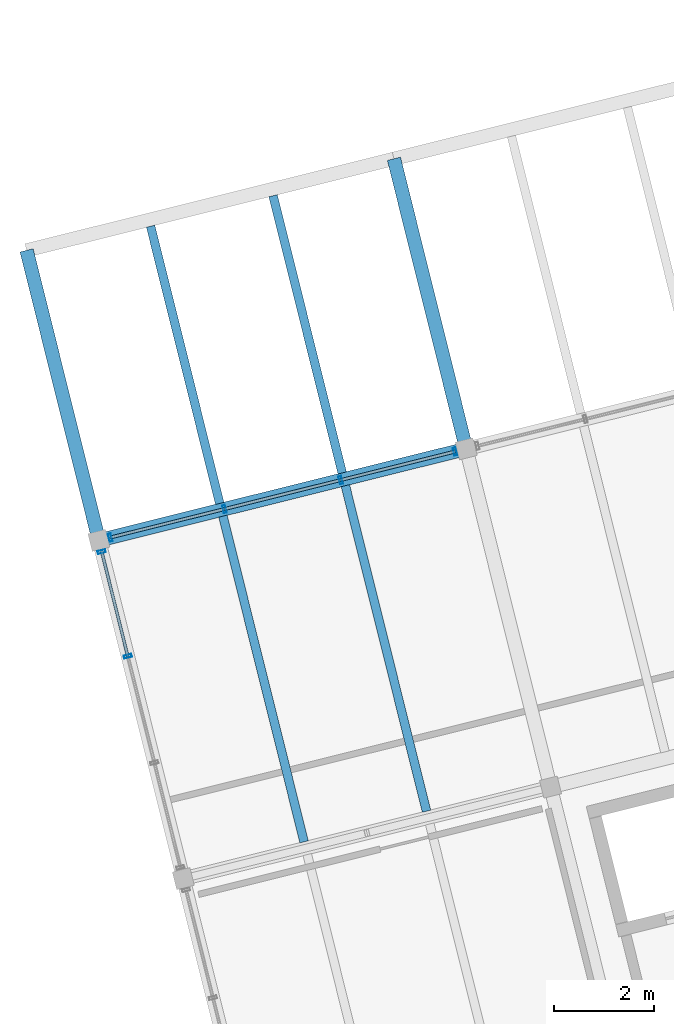
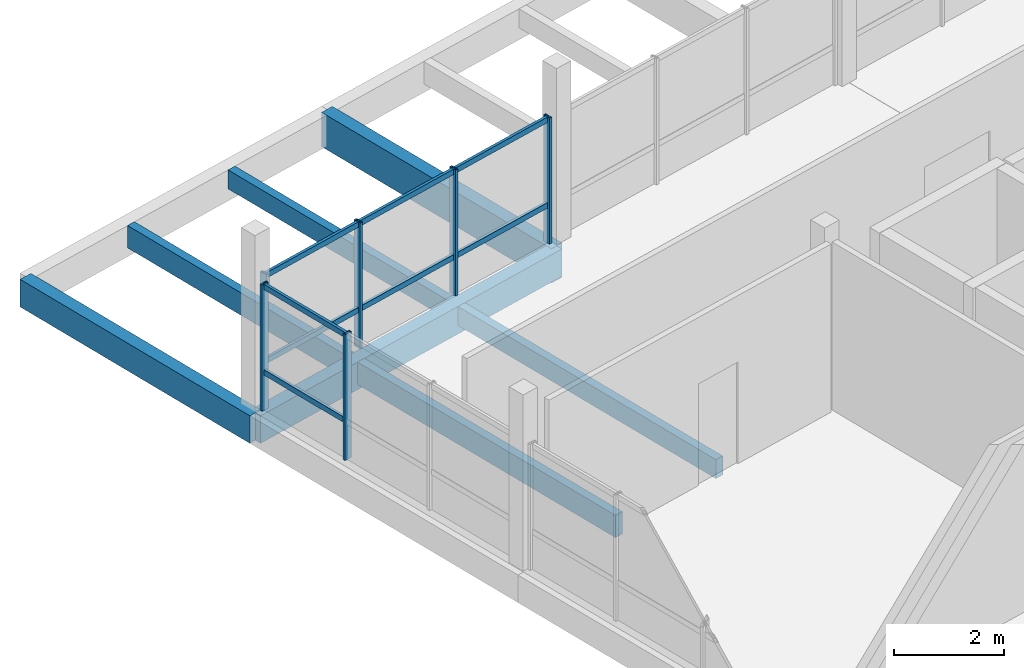
# One storey, part 10 of 28: 14 members, 7 beams, 2 elements without a shape of their own.
"""IFC4 building model written with IfcOpenShell, lengths in metres."""

from ifc_helpers import new_model, si_unit, direction, frame, origin, origin_2d, place, context, subcontext, project, spatial, rectangle, hollow_rectangle, extrude, material, layer, layer_set, material_profile, profile_set, type_object, element, aggregate, save


model = new_model("IFC4")

# Units and contexts
model_context = context("Model", 3, precision=1e-05, world=origin(), true_north=direction((0.0, 1.0)))
body_context = subcontext(model_context, "Body", "Model", "MODEL_VIEW")
ifc_project = project(units=[si_unit("LENGTHUNIT", "METRE"), si_unit("AREAUNIT", "SQUARE_METRE"), si_unit("VOLUMEUNIT", "CUBIC_METRE"), si_unit("PLANEANGLEUNIT", "RADIAN"), si_unit("MASSUNIT", "GRAM", prefix="KILO")], contexts=[model_context])

# Site, building, storey
site_placement = place(None, origin())
site = spatial("IfcSite", under=ifc_project, at=site_placement, CompositionType="ELEMENT")
building_placement = place(site_placement, origin())
building = spatial("IfcBuilding", under=site, at=building_placement, Name="Meriwether Solvik Hall", CompositionType="ELEMENT")
storey_placement = place(building_placement, frame((0.0, 0.0, 45.60009765625)))
storey = spatial("IfcBuildingStorey", under=building, at=storey_placement, Name="L11", CompositionType="ELEMENT", Elevation=45.60009765625)

# Beams
ifc_material_1 = material(Name="Glulam Douglas-Fir 24F-V8 GL28h", Category="wood")
ifc_material_profile_1 = material_profile(ifc_material_1, rectangle(XDim=0.27294921875, YDim=0.610107421875, at=origin_2d()), Name="GLB-273X610")
ifc_profile_set_1 = profile_set([ifc_material_profile_1], Name="Glulam Douglas-Fir 24F-V8 GL28h")
beam_type_1 = type_object("IfcBeamType", Name="BM-GL-273X610", PredefinedType="SPANDREL", material=ifc_profile_set_1)
beam_1_placement = place(storey_placement, frame((61.826171875, 68.3681640625, -0.505126953125), z_axis=(0.970295366785, 0.241923337436, 0.0), x_axis=(-0.241923337436, 0.970295366785, 0.0)))
element("IfcBeam", 1, at=beam_1_placement, inside=storey, type_object=beam_type_1, Name="Tower Girder TE:T1-T2 (L11)", PredefinedType="SPANDREL", context=body_context, shape_type="SweptSolid", body=[
    extrude(rectangle(XDim=0.27294921875, YDim=0.610107421875, at=origin_2d()), origin(), (0.0, 0.0, 1.0), 7.60009765625),
])
beam_2_placement = place(storey_placement, frame((61.826171875, 68.3681640625, -0.505126953125), z_axis=(-0.241903677572, 0.970300268359, 0.0), x_axis=(-0.970300268359, -0.241903677572, 0.0)))
element("IfcBeam", 2, at=beam_2_placement, inside=storey, type_object=beam_type_1, Name="Tower Girder T1:TE-TF (L11)", PredefinedType="SPANDREL", context=body_context, shape_type="SweptSolid", body=[
    extrude(rectangle(XDim=0.27294921875, YDim=0.610107421875, at=origin_2d()), origin(), (0.0, 0.0, 1.0), 6.0),
])
ifc_material_2 = material(Name="Glulam Douglas-Fir 24F-V8 GL28h", Category="wood")
ifc_material_profile_2 = material_profile(ifc_material_2, rectangle(XDim=0.27294921875, YDim=0.760009765625, at=origin_2d()), Name="GLB-273X760")
ifc_profile_set_2 = profile_set([ifc_material_profile_2], Name="Glulam Douglas-Fir 24F-V8 GL28h")
beam_type_2 = type_object("IfcBeamType", Name="BM-GL-273X760", PredefinedType="BEAM", material=ifc_profile_set_2)
beam_3_placement = place(storey_placement, frame((69.200439453125, 70.206787109375, -0.580078125), z_axis=(-0.241903677572, 0.970300268359, 0.0), x_axis=(-0.970300268359, -0.241903677572, 0.0)))
element("IfcBeam", 3, at=beam_3_placement, inside=storey, type_object=beam_type_2, Name="Tower Girder T2:TE-TF (L11)", PredefinedType="BEAM", context=body_context, shape_type="SweptSolid", body=[
    extrude(rectangle(XDim=0.27294921875, YDim=0.760009765625, at=origin_2d()), origin(), (0.0, 0.0, 1.0), 6.0),
])

# Curtain wall, members
ifc_material_3 = material(Name="Thermally Broken Anodised Aluminium 6063-T6 and Low-E Glass", Category="aluminium")
ifc_layer_1 = layer(ifc_material_3, 0.179931640625)
ifc_layer_set_1 = layer_set([ifc_layer_1], Name="Thermally Broken Anodised Aluminium 6063-T6 and Low-E Glass")
curtain_wall_type_1 = type_object("IfcCurtainWallType", Name="CW-UNIT-D", PredefinedType="USERDEFINED", material=ifc_layer_set_1)
curtain_wall_1_placement = place(storey_placement, origin())
curtain_wall_1 = element("IfcCurtainWall", 4, at=curtain_wall_1_placement, inside=storey, type_object=curtain_wall_type_1, Name="Curtain Wall E2_B0 (L11)", ObjectType="UNITISED CURTAIN WALL", PredefinedType="USERDEFINED")
ifc_material_4 = material(Name="Anodised Aluminium 6063-T6", Category="aluminium")
ifc_material_profile_3 = material_profile(ifc_material_4, hollow_rectangle(XDim=0.06005859375, YDim=0.159912109375, WallThickness=0.00390625, at=origin_2d()), Name="CWM-60X160")
ifc_profile_set_3 = profile_set([ifc_material_profile_3], Name="Anodised Aluminium 6063-T6")
member_type_1 = type_object("IfcMemberType", Name="CW-MUL-60X160", PredefinedType="MULLION", material=ifc_profile_set_3)
member_1_placement = place(storey_placement, frame((62.0517578125, 68.424560546875, 0.0), z_axis=(0.0, 0.0, 1.0), x_axis=(0.970295723616, 0.241921906269, 0.0)))
member_1 = element("IfcMember", 5, at=member_1_placement, type_object=member_type_1, Name="Curtain Wall Mullion 1", PredefinedType="MULLION", context=body_context, shape_type="SweptSolid", body=[
    extrude(hollow_rectangle(XDim=0.06005859375, YDim=0.159912109375, WallThickness=0.00390625, at=origin_2d()), origin(), (0.0, 0.0, 1.0), 2.789794921875),
])
member_2_placement = place(storey_placement, frame((64.34716796875, 68.996826171875, 0.0), z_axis=(0.0, 0.0, 1.0), x_axis=(0.970295723616, 0.241921906269, 0.0)))
member_2 = element("IfcMember", 6, at=member_2_placement, type_object=member_type_1, Name="Curtain Wall Mullion 2", PredefinedType="MULLION", context=body_context, shape_type="SweptSolid", body=[
    extrude(hollow_rectangle(XDim=0.06005859375, YDim=0.159912109375, WallThickness=0.00390625, at=origin_2d()), origin(), (0.0, 0.0, 1.0), 2.789794921875),
])
member_3_placement = place(storey_placement, frame((66.679443359375, 69.578369140625, 0.0), z_axis=(0.0, 0.0, 1.0), x_axis=(0.970295723616, 0.241921906269, 0.0)))
member_3 = element("IfcMember", 7, at=member_3_placement, type_object=member_type_1, Name="Curtain Wall Mullion 3", PredefinedType="MULLION", context=body_context, shape_type="SweptSolid", body=[
    extrude(hollow_rectangle(XDim=0.06005859375, YDim=0.159912109375, WallThickness=0.00390625, at=origin_2d()), origin(), (0.0, 0.0, 1.0), 2.789794921875),
])
member_4_placement = place(storey_placement, frame((68.974853515625, 70.150634765625, 0.0), z_axis=(0.0, 0.0, 1.0), x_axis=(0.970295723616, 0.241921906269, 0.0)))
member_4 = element("IfcMember", 8, at=member_4_placement, type_object=member_type_1, Name="Curtain Wall Mullion 4", PredefinedType="MULLION", context=body_context, shape_type="SweptSolid", body=[
    extrude(hollow_rectangle(XDim=0.06005859375, YDim=0.159912109375, WallThickness=0.00390625, at=origin_2d()), origin(), (0.0, 0.0, 1.0), 2.789794921875),
])

ifc_material_5 = material(Name="Thermally Broken Anodised Aluminium 6063-T6 and Low-E Glass", Category="aluminium")
ifc_layer_2 = layer(ifc_material_5, 0.179931640625)
ifc_layer_set_2 = layer_set([ifc_layer_2], Name="Thermally Broken Anodised Aluminium 6063-T6 and Low-E Glass")
curtain_wall_type_2 = type_object("IfcCurtainWallType", Name="CW-UNIT-A", PredefinedType="USERDEFINED", material=ifc_layer_set_2)
curtain_wall_2_placement = place(storey_placement, origin())
curtain_wall_2 = element("IfcCurtainWall", 9, at=curtain_wall_2_placement, inside=storey, type_object=curtain_wall_type_2, Name="Curtain Wall E3_B3 (L11)", ObjectType="UNITISED CURTAIN WALL", PredefinedType="USERDEFINED")
member_5_placement = place(storey_placement, frame((62.40625, 66.041259765625, 0.0), z_axis=(0.0, 0.0, 1.0), x_axis=(-0.241921804422, 0.970295749009, 0.0)))
member_5 = element("IfcMember", 10, at=member_5_placement, type_object=member_type_1, Name="Curtain Wall Mullion 3", PredefinedType="MULLION", context=body_context, shape_type="SweptSolid", body=[
    extrude(hollow_rectangle(XDim=0.06005859375, YDim=0.159912109375, WallThickness=0.00390625, at=origin_2d()), origin(), (0.0, 0.0, 1.0), 2.789794921875),
])
member_6_placement = place(storey_placement, frame((61.88232421875, 68.142578125, 0.0), z_axis=(0.0, 0.0, 1.0), x_axis=(-0.241921804422, 0.970295749009, 0.0)))
member_6 = element("IfcMember", 11, at=member_6_placement, type_object=member_type_1, Name="Curtain Wall Mullion 4", PredefinedType="MULLION", context=body_context, shape_type="SweptSolid", body=[
    extrude(hollow_rectangle(XDim=0.06005859375, YDim=0.159912109375, WallThickness=0.00390625, at=origin_2d()), origin(), (0.0, 0.0, 1.0), 2.789794921875),
])

# Member
ifc_material_6 = material(Name="Anodised Aluminium 6063-T6", Category="aluminium")
ifc_material_profile_4 = material_profile(ifc_material_6, hollow_rectangle(XDim=0.06005859375, YDim=0.1201171875, WallThickness=0.00390625, at=origin_2d()), Name="CWT-60X120")
ifc_profile_set_4 = profile_set([ifc_material_profile_4], Name="Anodised Aluminium 6063-T6")
member_type_2 = type_object("IfcMemberType", Name="CW-TRN-60X120", PredefinedType="USERDEFINED", material=ifc_profile_set_4)
member_7_placement = place(storey_placement, frame((62.0517578125, 68.424560546875, 0.8369140625), z_axis=(0.970300132238, 0.241904223566, 0.0), x_axis=(-0.241904223566, 0.970300132238, 0.0)))
member_7 = element("IfcMember", 12, at=member_7_placement, type_object=member_type_2, Name="Curtain Wall Transom 1-sill", ObjectType="TRANSOM", PredefinedType="USERDEFINED", context=body_context, shape_type="SweptSolid", body=[
    extrude(hollow_rectangle(XDim=0.06005859375, YDim=0.1201171875, WallThickness=0.00390625, at=origin_2d()), origin(), (0.0, 0.0, 1.0), 2.36572265625),
])

member_8_placement = place(storey_placement, frame((62.0517578125, 68.424560546875, 2.72998046875), z_axis=(0.970300132238, 0.241904223566, 0.0), x_axis=(-0.241904223566, 0.970300132238, 0.0)))
member_8 = element("IfcMember", 13, at=member_8_placement, type_object=member_type_2, Name="Curtain Wall Transom 1-head", ObjectType="TRANSOM", PredefinedType="USERDEFINED", context=body_context, shape_type="SweptSolid", body=[
    extrude(hollow_rectangle(XDim=0.06005859375, YDim=0.1201171875, WallThickness=0.00390625, at=origin_2d()), origin(), (0.0, 0.0, 1.0), 2.36572265625),
])

member_9_placement = place(storey_placement, frame((64.34716796875, 68.996826171875, 0.8369140625), z_axis=(0.970291682811, 0.241938112473, 0.0), x_axis=(-0.241938112473, 0.970291682811, 0.0)))
member_9 = element("IfcMember", 14, at=member_9_placement, type_object=member_type_2, Name="Curtain Wall Transom 2-sill", ObjectType="TRANSOM", PredefinedType="USERDEFINED", context=body_context, shape_type="SweptSolid", body=[
    extrude(hollow_rectangle(XDim=0.06005859375, YDim=0.1201171875, WallThickness=0.00390625, at=origin_2d()), origin(), (0.0, 0.0, 1.0), 2.403564453125),
])

member_10_placement = place(storey_placement, frame((64.34716796875, 68.996826171875, 2.72998046875), z_axis=(0.970291682811, 0.241938112473, 0.0), x_axis=(-0.241938112473, 0.970291682811, 0.0)))
member_10 = element("IfcMember", 15, at=member_10_placement, type_object=member_type_2, Name="Curtain Wall Transom 2-head", ObjectType="TRANSOM", PredefinedType="USERDEFINED", context=body_context, shape_type="SweptSolid", body=[
    extrude(hollow_rectangle(XDim=0.06005859375, YDim=0.1201171875, WallThickness=0.00390625, at=origin_2d()), origin(), (0.0, 0.0, 1.0), 2.403564453125),
])

member_11_placement = place(storey_placement, frame((66.679443359375, 69.578369140625, 0.8369140625), z_axis=(0.970300132238, 0.241904223566, 0.0), x_axis=(-0.241904223566, 0.970300132238, 0.0)))
member_11 = element("IfcMember", 16, at=member_11_placement, type_object=member_type_2, Name="Curtain Wall Transom 3-sill", ObjectType="TRANSOM", PredefinedType="USERDEFINED", context=body_context, shape_type="SweptSolid", body=[
    extrude(hollow_rectangle(XDim=0.06005859375, YDim=0.1201171875, WallThickness=0.00390625, at=origin_2d()), origin(), (0.0, 0.0, 1.0), 2.36572265625),
])

member_12_placement = place(storey_placement, frame((66.679443359375, 69.578369140625, 2.72998046875), z_axis=(0.970300132238, 0.241904223566, 0.0), x_axis=(-0.241904223566, 0.970300132238, 0.0)))
member_12 = element("IfcMember", 17, at=member_12_placement, type_object=member_type_2, Name="Curtain Wall Transom 3-head", ObjectType="TRANSOM", PredefinedType="USERDEFINED", context=body_context, shape_type="SweptSolid", body=[
    extrude(hollow_rectangle(XDim=0.06005859375, YDim=0.1201171875, WallThickness=0.00390625, at=origin_2d()), origin(), (0.0, 0.0, 1.0), 2.36572265625),
])

aggregate(curtain_wall_1, [member_1, member_2, member_3, member_4, member_7, member_8, member_9, member_10, member_11, member_12])

member_13_placement = place(storey_placement, frame((62.40625, 66.041259765625, 0.8369140625), z_axis=(-0.241925491414, 0.970294829732, 0.0), x_axis=(-0.970294829732, -0.241925491414, 0.0)))
member_13 = element("IfcMember", 18, at=member_13_placement, type_object=member_type_2, Name="Curtain Wall Transom 3-sill", ObjectType="TRANSOM", PredefinedType="USERDEFINED", context=body_context, shape_type="SweptSolid", body=[
    extrude(hollow_rectangle(XDim=0.06005859375, YDim=0.1201171875, WallThickness=0.00390625, at=origin_2d()), origin(), (0.0, 0.0, 1.0), 2.16552734375),
])

member_14_placement = place(storey_placement, frame((62.40625, 66.041259765625, 2.72998046875), z_axis=(-0.241925491414, 0.970294829732, 0.0), x_axis=(-0.970294829732, -0.241925491414, 0.0)))
member_14 = element("IfcMember", 19, at=member_14_placement, type_object=member_type_2, Name="Curtain Wall Transom 3-head", ObjectType="TRANSOM", PredefinedType="USERDEFINED", context=body_context, shape_type="SweptSolid", body=[
    extrude(hollow_rectangle(XDim=0.06005859375, YDim=0.1201171875, WallThickness=0.00390625, at=origin_2d()), origin(), (0.0, 0.0, 1.0), 2.16552734375),
])

aggregate(curtain_wall_2, [member_5, member_6, member_13, member_14])

# Beams
ifc_material_7 = material(Name="Glulam Douglas-Fir 24F-V8 GL28h", Category="wood")
ifc_material_profile_5 = material_profile(ifc_material_7, rectangle(XDim=0.175048828125, YDim=0.419921875, at=origin_2d()), Name="GLJ-175X420")
ifc_profile_set_5 = profile_set([ifc_material_profile_5], Name="Glulam Douglas-Fir 24F-V8 GL28h")
beam_type_3 = type_object("IfcBeamType", Name="JST-GL-175X420", PredefinedType="JOIST", material=ifc_profile_set_5)
beam_4_placement = place(storey_placement, frame((68.404052734375, 62.929443359375, -0.41015625), z_axis=(-0.241921670289, 0.970295782452, 0.0), x_axis=(-0.970295782452, -0.241921670289, 0.0)))
element("IfcBeam", 20, at=beam_4_placement, inside=storey, type_object=beam_type_3, Name="Glulam Floor Joist T1/TD-J2 (L11)", PredefinedType="JOIST", context=body_context, shape_type="SweptSolid", body=[
    extrude(rectangle(XDim=0.175048828125, YDim=0.419921875, at=origin_2d()), origin(), (0.0, 0.0, 1.0), 6.7373046875),
])
beam_5_placement = place(storey_placement, frame((66.710693359375, 69.7216796875, -0.41015625), z_axis=(-0.241934778209, 0.97029251419, 0.0), x_axis=(-0.97029251419, -0.241934778209, 0.0)))
element("IfcBeam", 21, at=beam_5_placement, inside=storey, type_object=beam_type_3, Name="Glulam Floor Joist T1/TE-J2 (L11)", PredefinedType="JOIST", context=body_context, shape_type="SweptSolid", body=[
    extrude(rectangle(XDim=0.175048828125, YDim=0.419921875, at=origin_2d()), origin(), (0.0, 0.0, 1.0), 5.73681640625),
])
ifc_material_8 = material(Name="Glulam Douglas-Fir 24F-V8 GL28h", Category="wood")
ifc_material_profile_6 = material_profile(ifc_material_8, rectangle(XDim=0.175048828125, YDim=0.4951171875, at=origin_2d()), Name="GLJ-175X495")
ifc_profile_set_6 = profile_set([ifc_material_profile_6], Name="Glulam Douglas-Fir 24F-V8 GL28h")
beam_type_4 = type_object("IfcBeamType", Name="JST-GL-175X495", PredefinedType="JOIST", material=ifc_profile_set_6)
beam_6_placement = place(storey_placement, frame((65.94580078125, 62.316650390625, -0.447509765625), z_axis=(-0.241896058636, 0.970302167789, 0.0), x_axis=(-0.970302167789, -0.241896058636, 0.0)))
element("IfcBeam", 22, at=beam_6_placement, inside=storey, type_object=beam_type_4, Name="Glulam Floor Joist T1/TD-J1 (L11)", PredefinedType="JOIST", context=body_context, shape_type="SweptSolid", body=[
    extrude(rectangle(XDim=0.175048828125, YDim=0.4951171875, at=origin_2d()), origin(), (0.0, 0.0, 1.0), 6.73681640625),
])
beam_7_placement = place(storey_placement, frame((64.25244140625, 69.108642578125, -0.447509765625), z_axis=(-0.241924788532, 0.970295004982, 0.0), x_axis=(-0.970295004982, -0.241924788532, 0.0)))
element("IfcBeam", 23, at=beam_7_placement, inside=storey, type_object=beam_type_4, Name="Glulam Floor Joist T1/TE-J1 (L11)", PredefinedType="JOIST", context=body_context, shape_type="SweptSolid", body=[
    extrude(rectangle(XDim=0.175048828125, YDim=0.4951171875, at=origin_2d()), origin(), (0.0, 0.0, 1.0), 5.737060546875),
])

save(model, "model.ifc")
